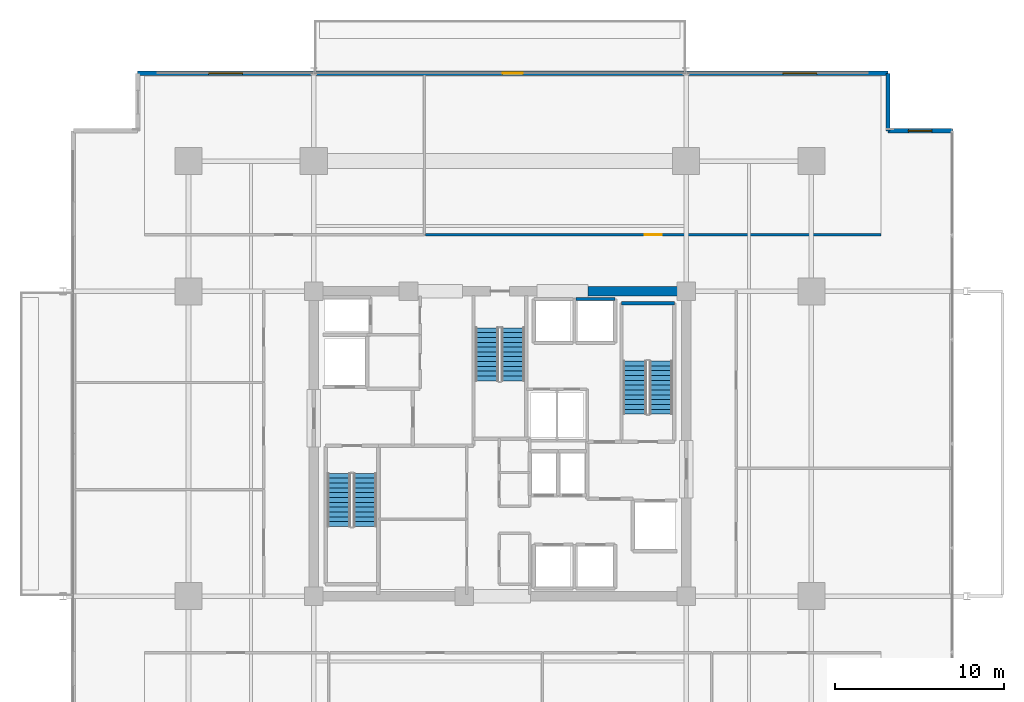
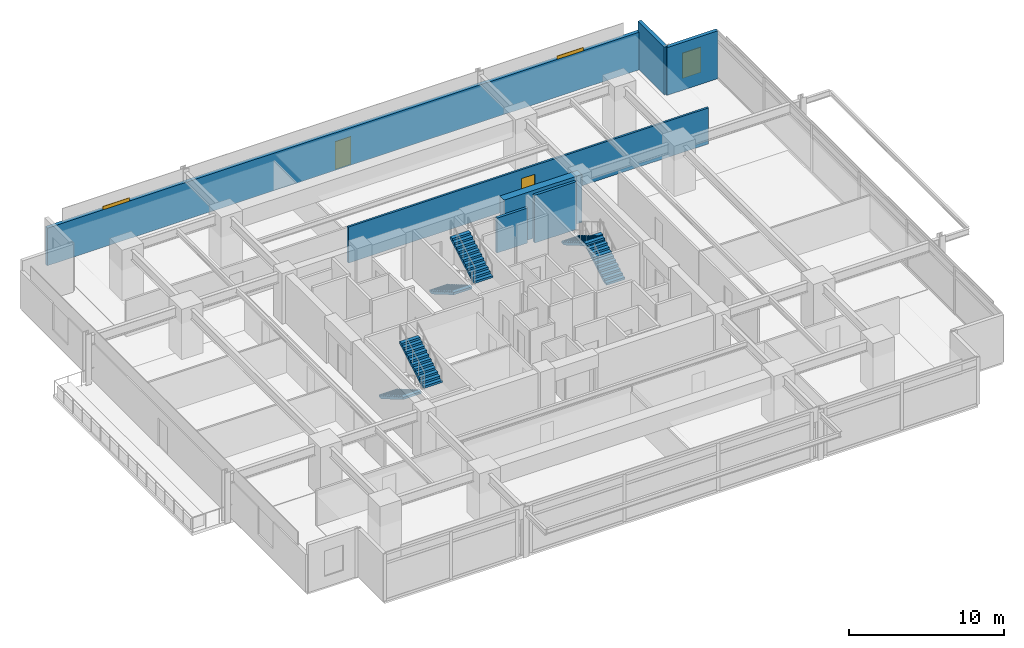
# One storey, part 19 of 23: 7 walls, 6 stair flights, 3 windows, 2 doors, 5 openings, 3 elements without a shape of their own.
"""IFC4 building model written with IfcOpenShell, lengths in metres."""

import ifcopenshell
import ifcopenshell.guid

model = None  # the IFC model being written
_history = None  # IfcOwnerHistory: only IFC2X3 demands one
_inside = {}  # id of a spatial element -> (the spatial element, [elements in it])
_under = {}  # id of a project, library or spatial element -> (it, [spatial elements below it])
_declared = {}  # id of a project -> (the project, [libraries it declares])
_typed = {}  # id of a type object -> (the type object, [elements of that type])
_made_of = {}  # id of a material, layer set ... -> (it, [elements and type objects made of it])


def new_model(schema):
    """Start an empty IFC model of exactly this schema.

    Asked for "IFC4X3", IfcOpenShell would pick the latest addendum, in which some entities
    have other attributes; the version numbers below select the first issue.
    IFC2X3 requires an IfcOwnerHistory on every rooted entity: one is made here for all.
    """
    global model, _history
    if schema == "IFC4X3":
        model = ifcopenshell.file(schema_version=(4, 3, 0, 0))
    else:
        model = ifcopenshell.file(schema=schema)
    _inside.clear()
    _under.clear()
    _declared.clear()
    _typed.clear()
    _made_of.clear()
    _history = None
    if model.schema == "IFC2X3":
        org = make("IfcOrganization", Name="unknown")
        user = make(
            "IfcPersonAndOrganization",
            ThePerson=make("IfcPerson", FamilyName="unknown"),
            TheOrganization=org,
        )
        app = make(
            "IfcApplication",
            ApplicationDeveloper=org,
            Version="unknown",
            ApplicationFullName="unknown",
            ApplicationIdentifier="unknown",
        )
        _history = make(
            "IfcOwnerHistory",
            OwningUser=user,
            OwningApplication=app,
            ChangeAction="ADDED",
            CreationDate=0,
        )
    return model


def make(cls, **values):
    """One entity of the class cls with the attributes given. An attribute that is None is left unset."""
    return model.create_entity(
        cls, **{name: value for name, value in values.items() if value is not None}
    )


def rooted(cls, **values):
    """An entity with a GlobalId (a new one), such as an element, a storey or a relation."""
    return make(cls, GlobalId=ifcopenshell.guid.new(), OwnerHistory=_history, **values)


def si_unit(unit_type, name, prefix=None):
    """IfcSIUnit, for example si_unit("LENGTHUNIT", "METRE", prefix="MILLI")."""
    return make("IfcSIUnit", UnitType=unit_type, Prefix=prefix, Name=name)


def assignment(units):
    """IfcUnitAssignment: the units of a project."""
    return None if units is None else make("IfcUnitAssignment", Units=units)


def point(xyz):
    """IfcCartesianPoint."""
    return None if xyz is None else make("IfcCartesianPoint", Coordinates=xyz)


def direction(xyz):
    """IfcDirection."""
    return None if xyz is None else make("IfcDirection", DirectionRatios=xyz)


def frame(location, z_axis=None, x_axis=None):
    """IfcAxis2Placement3D, a coordinate frame: its origin and axes. An axis left out is left unset."""
    return make(
        "IfcAxis2Placement3D",
        Location=point(location),
        Axis=direction(z_axis),
        RefDirection=direction(x_axis),
    )


def frame_2d(location, x_axis=None):
    """IfcAxis2Placement2D, a coordinate frame in the plane: its origin and x axis."""
    return make(
        "IfcAxis2Placement2D", Location=point(location), RefDirection=direction(x_axis)
    )


def origin():
    """The frame at (0, 0, 0) with its axes left unset."""
    return frame((0.0, 0.0, 0.0))


def place(relative_to, where):
    """IfcLocalPlacement: puts the frame where relative to a parent placement (None: the world)."""
    return make(
        "IfcLocalPlacement", PlacementRelTo=relative_to, RelativePlacement=where
    )


def context(
    kind, dimensions, precision=None, world=None, true_north=None, identifier=None
):
    """IfcGeometricRepresentationContext, for example the 3D "Model" context."""
    return make(
        "IfcGeometricRepresentationContext",
        ContextIdentifier=identifier,
        ContextType=kind,
        CoordinateSpaceDimension=dimensions,
        Precision=precision,
        WorldCoordinateSystem=world,
        TrueNorth=true_north,
    )


def subcontext(parent, identifier, kind, view, scale=None):
    """IfcGeometricRepresentationSubContext, for example "Body" below "Model"."""
    return make(
        "IfcGeometricRepresentationSubContext",
        ContextIdentifier=identifier,
        ContextType=kind,
        ParentContext=parent,
        TargetScale=scale,
        TargetView=view,
    )


def project(units=None, contexts=None):
    """IfcProject with its units and contexts."""
    return rooted(
        "IfcProject",
        Name="project",
        RepresentationContexts=contexts,
        UnitsInContext=assignment(units),
    )


def spatial(cls, under=None, at=None, **own):
    """A site, building, storey or space (cls), placed at a placement, below another one or the project."""
    s = rooted(cls, ObjectPlacement=at, **own)
    if under is not None:
        _under.setdefault(under.id(), (under, []))[1].append(s)
    return s


def polyline(points):
    """IfcPolyline through the points."""
    return make("IfcPolyline", Points=[point(p) for p in points])


def profile(cls, at=None, kind="AREA", **sizes):
    """A parametric profile (cls). Its sizes go by their IFC names, for example OverallWidth=200.0."""
    return make(cls, ProfileType=kind, Position=at, **sizes)


def rectangle(**sizes):
    """IfcRectangleProfileDef."""
    return profile("IfcRectangleProfileDef", **sizes)


def outline(outer, holes=None, kind="AREA"):
    """IfcArbitraryClosedProfileDef: a profile drawn as a closed curve; with holes, ...WithVoids."""
    if holes is None:
        return make("IfcArbitraryClosedProfileDef", ProfileType=kind, OuterCurve=outer)
    return make(
        "IfcArbitraryProfileDefWithVoids",
        ProfileType=kind,
        OuterCurve=outer,
        InnerCurves=holes,
    )


def extrude(swept, where, along, depth):
    """IfcExtrudedAreaSolid: the profile swept, set in the frame where, extruded along a direction by depth."""
    return make(
        "IfcExtrudedAreaSolid",
        SweptArea=swept,
        Position=where,
        ExtrudedDirection=direction(along),
        Depth=depth,
    )


def shape(context_of_items, identifier, shape_type, items):
    """IfcShapeRepresentation: the items that make up one representation, for example the "Body"."""
    return make(
        "IfcShapeRepresentation",
        ContextOfItems=context_of_items,
        RepresentationIdentifier=identifier,
        RepresentationType=shape_type,
        Items=items,
    )


def material(Name=None, Category=None):
    """IfcMaterial."""
    return make("IfcMaterial", Name=Name, Category=Category)


def layer(
    of_material, thickness, ventilated=None, Name=None, Category=None, Priority=None
):
    """IfcMaterialLayer: one layer of a wall or slab, of a material (None: an air gap)."""
    return make(
        "IfcMaterialLayer",
        Material=of_material,
        LayerThickness=thickness,
        IsVentilated=ventilated,
        Name=Name,
        Category=Category,
        Priority=Priority,
    )


def layer_set(layers, Name=None):
    """IfcMaterialLayerSet."""
    return make("IfcMaterialLayerSet", MaterialLayers=layers, LayerSetName=Name)


def made_of(thing, what):
    """Note that an element or type object is made of a material, layer set ...; save() writes the relation."""
    if what is not None:
        _made_of.setdefault(what.id(), (what, []))[1].append(thing)
    return thing


def type_object(cls, material=None, **own):
    """A type object (cls), such as IfcWallType, which elements share."""
    return made_of(rooted(cls, **own), material)


def element(
    cls,
    number,
    at=None,
    inside=None,
    cuts=None,
    type_object=None,
    material=None,
    context=None,
    identifier="Body",
    shape_type=None,
    held_by="IfcProductDefinitionShape",
    body=None,
    shapes=None,
    **own,
):
    """One element of the class cls, such as IfcWall. Its Tag is "e" and its number.

    at: its placement. inside: the storey or other place that contains it. cuts: it is an
    opening in that element (IfcRelVoidsElement). A single representation is given by context,
    identifier, shape_type and body (its items); several are given by shapes. held_by: the class
    of the entity that holds the representations. save() writes the other relations.
    """
    e = rooted(cls, Tag="e%d" % number, ObjectPlacement=at, **own)
    if body is not None:
        shapes = [shape(context, identifier, shape_type, body)]
    if shapes is not None:
        e.Representation = make(held_by, Representations=shapes)
    if inside is not None:
        _inside.setdefault(inside.id(), (inside, []))[1].append(e)
    if cuts is not None:
        rooted(
            "IfcRelVoidsElement", RelatingBuildingElement=cuts, RelatedOpeningElement=e
        )
    if type_object is not None:
        _typed.setdefault(type_object.id(), (type_object, []))[1].append(e)
    return made_of(e, material)


def fill(opening, filler):
    """IfcRelFillsElement: the door or window that sits in an opening."""
    return rooted(
        "IfcRelFillsElement",
        RelatingOpeningElement=opening,
        RelatedBuildingElement=filler,
    )


def aggregate(whole, parts):
    """IfcRelAggregates: a whole, such as a stair, and the parts it consists of."""
    return rooted("IfcRelAggregates", RelatingObject=whole, RelatedObjects=parts)


def save(model, path):
    """Write the relations noted so far, then the file.

    IfcRelAggregates (storeys below a building ...), IfcRelContainedInSpatialStructure (elements
    in a storey), IfcRelDefinesByType, IfcRelAssociatesMaterial and IfcRelDeclares: one each for
    every whole, place, type object, material and project.
    """
    for whole, parts in _under.values():
        aggregate(whole, parts)
    for where, things in _inside.values():
        rooted(
            "IfcRelContainedInSpatialStructure",
            RelatedElements=things,
            RelatingStructure=where,
        )
    for kind, things in _typed.values():
        rooted("IfcRelDefinesByType", RelatedObjects=things, RelatingType=kind)
    for what, things in _made_of.values():
        rooted("IfcRelAssociatesMaterial", RelatedObjects=things, RelatingMaterial=what)
    for by, libraries in _declared.values():
        rooted("IfcRelDeclares", RelatingContext=by, RelatedDefinitions=libraries)
    model.write(path)


model = new_model("IFC4")

# Units and contexts
model_context = context("Model", 3, precision=1e-05, world=origin(), true_north=direction((0.0, 1.0)))
body_context = subcontext(model_context, "Body", "Model", "MODEL_VIEW")
ifc_project = project(units=[si_unit("LENGTHUNIT", "METRE"), si_unit("AREAUNIT", "SQUARE_METRE"), si_unit("VOLUMEUNIT", "CUBIC_METRE"), si_unit("PLANEANGLEUNIT", "RADIAN"), si_unit("MASSUNIT", "GRAM", prefix="KILO")], contexts=[model_context])

# Site, building, storey
site_placement = place(None, origin())
site = spatial("IfcSite", under=ifc_project, at=site_placement, CompositionType="ELEMENT")
building_placement = place(site_placement, origin())
building = spatial("IfcBuilding", under=site, at=building_placement, Name="Kovane Verandah Tower", CompositionType="ELEMENT")
storey_placement = place(building_placement, frame((0.0, 0.0, 168.39990234375)))
storey = spatial("IfcBuildingStorey", under=building, at=storey_placement, Name="L39", CompositionType="ELEMENT", Elevation=168.39990234375)

# Wall, opening, door
ifc_material_1 = material(Name="Fire-Rated Gypsum Stud Partition", Category="gypsum")
ifc_layer_1 = layer(ifc_material_1, 0.14990234375)
ifc_layer_set_1 = layer_set([ifc_layer_1], Name="Fire-Rated Gypsum Stud Partition")
wall_type_1 = type_object("IfcWallType", Name="WL-COR-150", PredefinedType="PARTITIONING", material=ifc_layer_set_1)
wall_1_placement = place(storey_placement, frame((35.60546875, 39.85009765625, 0.0), z_axis=(0.0, 0.0, 1.0), x_axis=(1.0, 0.0, 0.0)))
wall_1 = element("IfcWall", 1, at=wall_1_placement, inside=storey, type_object=wall_type_1, Name="L39 Breakout Pantry N2 Corridor Partition", PredefinedType="PARTITIONING", context=body_context, shape_type="SweptSolid", body=[
    extrude(rectangle(XDim=26.914306640625, YDim=0.14990234375, at=frame_2d((13.45703125, 0.0))), origin(), (0.0, 0.0, 1.0), 2.85009765625),
])
opening_1_placement = place(wall_1_placement, frame((12.95703125, 0.0, 0.0)))
opening_1 = element("IfcOpeningElement", 2, at=opening_1_placement, cuts=wall_1, Name="Opening DR-L39-019", PredefinedType="OPENING", context=body_context, shape_type="SweptSolid", body=[
    extrude(rectangle(XDim=1.0, YDim=2.14990234375, at=frame_2d((0.5, 1.074951171875))), frame((0.0, 0.074951171875, 0.0), z_axis=(0.0, -1.0, 0.0), x_axis=(1.0, 0.0, 0.0)), (0.0, 0.0, 1.0), 0.14990234375),
])
ifc_material_2 = material(Name="FSC Spotted-Gum Timber Fire-Rated Office Door", Category="wood")
door_type_1 = type_object("IfcDoorType", Name="DR-OFF-1000", OperationType="SINGLE_SWING_LEFT", PredefinedType="DOOR", material=ifc_material_2)
door_1_placement = place(opening_1_placement, origin())
door_1 = element("IfcDoor", 3, at=door_1_placement, inside=storey, type_object=door_type_1, Name="L39 Breakout Pantry N2 Entrance Door", OperationType="SINGLE_SWING_LEFT", OverallHeight=2.14990234375, OverallWidth=1.0, PredefinedType="DOOR", context=body_context, shape_type="SweptSolid", body=[
    extrude(rectangle(XDim=1.0, YDim=2.14990234375, at=frame_2d((0.5, 1.074951171875))), frame((0.0, 0.02490234375, 0.0), z_axis=(0.0, -1.0, 0.0), x_axis=(1.0, 0.0, 0.0)), (0.0, 0.0, 1.0), 0.050048828125),
])
fill(opening_1, door_1)

# Walls
ifc_material_3 = material(Name="Concrete C60/75", Category="concrete")
ifc_layer_2 = layer(ifc_material_3, 0.550048828125)
ifc_layer_set_2 = layer_set([ifc_layer_2], Name="Concrete C60/75")
wall_type_2 = type_object("IfcWallType", Name="WL-CORE-550", PredefinedType="SHEAR", material=ifc_layer_set_2)
wall_2_placement = place(storey_placement, frame((45.199951171875, 36.5, 0.0), z_axis=(0.0, 0.0, 1.0), x_axis=(1.0, 0.0, 0.0)))
element("IfcWall", 4, at=wall_2_placement, inside=storey, type_object=wall_type_2, Name="L39 Core Shear Wall CN-3", PredefinedType="SHEAR", context=body_context, shape_type="SweptSolid", body=[
    extrude(rectangle(XDim=5.800048828125, YDim=0.550048828125, at=frame_2d((2.89990234375, 0.0))), origin(), (0.0, 0.0, 1.0), 3.775146484375),
])
ifc_material_4 = material(Name="Concrete C45/55 Lift Shaft Wall", Category="concrete")
ifc_layer_3 = layer(ifc_material_4, 0.199951171875)
ifc_layer_set_3 = layer_set([ifc_layer_3], Name="Concrete C45/55 Lift Shaft Wall")
wall_type_3 = type_object("IfcWallType", Name="WL-LIFT-200", PredefinedType="SOLIDWALL", material=ifc_layer_set_3)
wall_3_placement = place(storey_placement, frame((46.800048828125, 36.050048828125, 0.0), z_axis=(0.0, 0.0, 1.0), x_axis=(-1.0, 0.0, 0.0)))
element("IfcWall", 5, at=wall_3_placement, inside=storey, type_object=wall_type_3, Name="L39 Lift OL-01 N Shaft Wall", PredefinedType="SOLIDWALL", context=body_context, shape_type="SweptSolid", body=[
    extrude(rectangle(XDim=2.300048828125, YDim=0.199951171875, at=frame_2d((1.14990234375, 0.0))), origin(), (0.0, 0.0, 1.0), 2.755126953125),
])
ifc_material_5 = material(Name="Concrete C45/55", Category="concrete")
ifc_layer_4 = layer(ifc_material_5, 0.199951171875)
ifc_layer_set_4 = layer_set([ifc_layer_4], Name="Concrete C45/55")
wall_type_4 = type_object("IfcWallType", Name="WL-SHAFT-200", PredefinedType="SOLIDWALL", material=ifc_layer_set_4)
wall_4_placement = place(storey_placement, frame((47.179931640625, 35.800048828125, 0.0), z_axis=(0.0, 0.0, 1.0), x_axis=(1.0, 0.0, 0.0)))
element("IfcWall", 6, at=wall_4_placement, inside=storey, type_object=wall_type_4, Name="W-L39-ST02-N", PredefinedType="SOLIDWALL", context=body_context, shape_type="SweptSolid", body=[
    extrude(rectangle(XDim=3.1201171875, YDim=0.199951171875, at=frame_2d((1.56005859375, 0.0))), origin(), (0.0, 0.0, 1.0), 3.775146484375),
])

# Wall, openings, door, windows
ifc_material_6 = material(Name="Concrete C45/55 Insulated Spandrel Wall", Category="concrete")
ifc_layer_5 = layer(ifc_material_6, 0.260009765625)
ifc_layer_set_5 = layer_set([ifc_layer_5], Name="Concrete C45/55 Insulated Spandrel Wall")
wall_type_5 = type_object("IfcWallType", Name="WL-SPANDREL-260", PredefinedType="PARAPET", material=ifc_layer_set_5)
wall_5_placement = place(storey_placement, frame((62.919921875, 49.382080078125, 0.0), z_axis=(0.0, 0.0, 1.0), x_axis=(-1.0, 0.0, 0.0)))
wall_5 = element("IfcWall", 7, at=wall_5_placement, inside=storey, type_object=wall_type_5, Name="L39 N Verandah Access Facade Wall", PredefinedType="PARAPET", context=body_context, shape_type="SweptSolid", body=[
    extrude(rectangle(XDim=44.3232421875, YDim=0.260009765625, at=frame_2d((22.16162109375, 0.0))), origin(), (0.0, 0.0, 1.0), 2.97021484375),
])
opening_2_placement = place(wall_5_placement, frame((4.199951171875, 0.0, 0.85009765625)))
opening_2 = element("IfcOpeningElement", 8, at=opening_2_placement, cuts=wall_5, Name="Opening W-04", PredefinedType="OPENING", context=body_context, shape_type="SweptSolid", body=[
    extrude(rectangle(XDim=2.0, YDim=2.300048828125, at=frame_2d((1.0, 1.14990234375))), frame((0.0, 0.1298828125, 0.0), z_axis=(0.0, -1.0, 0.0), x_axis=(1.0, 0.0, 0.0)), (0.0, 0.0, 1.0), 0.260009765625),
])
opening_3_placement = place(wall_5_placement, frame((21.5615234375, 0.0, 0.0)))
opening_3 = element("IfcOpeningElement", 9, at=opening_3_placement, cuts=wall_5, Name="Opening DR-L39-001", PredefinedType="OPENING", context=body_context, shape_type="SweptSolid", body=[
    extrude(rectangle(XDim=1.199951171875, YDim=2.199951171875, at=frame_2d((0.60009765625, 1.10009765625))), frame((0.0, 0.1298828125, 0.0), z_axis=(0.0, -1.0, 0.0), x_axis=(1.0, 0.0, 0.0)), (0.0, 0.0, 1.0), 0.260009765625),
])
opening_4_placement = place(wall_5_placement, frame((38.123046875, 0.0, 0.85009765625)))
opening_4 = element("IfcOpeningElement", 10, at=opening_4_placement, cuts=wall_5, Name="Opening W-04", PredefinedType="OPENING", context=body_context, shape_type="SweptSolid", body=[
    extrude(rectangle(XDim=2.0, YDim=2.300048828125, at=frame_2d((1.0, 1.14990234375))), frame((0.0, 0.1298828125, 0.0), z_axis=(0.0, -1.0, 0.0), x_axis=(1.0, 0.0, 0.0)), (0.0, 0.0, 1.0), 0.260009765625),
])
ifc_material_7 = material(Name="Cyclone-Rated Glazed Balcony Leaf Door", Category="aluminium")
door_type_2 = type_object("IfcDoorType", Name="DR-BAL-1200x2200", OperationType="SINGLE_SWING_LEFT", PredefinedType="DOOR", material=ifc_material_7)
door_2_placement = place(opening_3_placement, origin())
door_2 = element("IfcDoor", 11, at=door_2_placement, inside=storey, type_object=door_type_2, Name="L39 N Planted Balcony Access Door", OperationType="SINGLE_SWING_LEFT", OverallHeight=2.199951171875, OverallWidth=1.199951171875, PredefinedType="DOOR", context=body_context, shape_type="SweptSolid", body=[
    extrude(rectangle(XDim=1.199951171875, YDim=2.199951171875, at=frame_2d((0.60009765625, 1.10009765625))), frame((0.0, 0.02490234375, 0.0), z_axis=(0.0, -1.0, 0.0), x_axis=(1.0, 0.0, 0.0)), (0.0, 0.0, 1.0), 0.050048828125),
])
fill(opening_3, door_2)
ifc_material_8 = material(Name="Clear Low-E Laminated Double Glazing in Anodised Frame", Category="glass")
window_type_1 = type_object("IfcWindowType", Name="WN-FIXED-2000x2300", PartitioningType="SINGLE_PANEL", PredefinedType="WINDOW", material=ifc_material_8)
window_1_placement = place(opening_2_placement, origin())
window_1 = element("IfcWindow", 12, at=window_1_placement, inside=storey, type_object=window_type_1, Name="L39 N Verandah View Window 1", OverallHeight=2.300048828125, OverallWidth=2.0, PartitioningType="SINGLE_PANEL", PredefinedType="WINDOW", context=body_context, shape_type="SweptSolid", body=[
    extrude(rectangle(XDim=2.0, YDim=2.300048828125, at=frame_2d((1.0, 1.14990234375))), frame((0.0, 0.030029296875, 0.0), z_axis=(0.0, -1.0, 0.0), x_axis=(1.0, 0.0, 0.0)), (0.0, 0.0, 1.0), 0.06005859375),
])
fill(opening_2, window_1)
window_2_placement = place(opening_4_placement, origin())
window_2 = element("IfcWindow", 13, at=window_2_placement, inside=storey, type_object=window_type_1, Name="L39 N Verandah View Window 2", OverallHeight=2.300048828125, OverallWidth=2.0, PartitioningType="SINGLE_PANEL", PredefinedType="WINDOW", context=body_context, shape_type="SweptSolid", body=[
    extrude(rectangle(XDim=2.0, YDim=2.300048828125, at=frame_2d((1.0, 1.14990234375))), frame((0.0, 0.030029296875, 0.0), z_axis=(0.0, -1.0, 0.0), x_axis=(1.0, 0.0, 0.0)), (0.0, 0.0, 1.0), 0.06005859375),
])
fill(opening_4, window_2)

# Wall, opening, window
wall_6_placement = place(storey_placement, frame((66.7197265625, 45.982177734375, 0.0), z_axis=(0.0, 0.0, 1.0), x_axis=(-1.0, 0.0, 0.0)))
wall_6 = element("IfcWall", 14, at=wall_6_placement, inside=storey, type_object=wall_type_5, Name="L39 NE Notch Cheek Wall 1", PredefinedType="PARAPET", context=body_context, shape_type="SweptSolid", body=[
    extrude(rectangle(XDim=3.7998046875, YDim=0.260009765625, at=frame_2d((1.89990234375, 0.0))), origin(), (0.0, 0.0, 1.0), 3.775146484375),
])
opening_5_placement = place(wall_6_placement, frame((1.199951171875, 0.0, 0.85009765625)))
opening_5 = element("IfcOpeningElement", 15, at=opening_5_placement, cuts=wall_6, Name="Opening W-01", PredefinedType="OPENING", context=body_context, shape_type="SweptSolid", body=[
    extrude(rectangle(XDim=1.39990234375, YDim=2.0, at=frame_2d((0.699951171875, 1.0))), frame((0.0, 0.1298828125, 0.0), z_axis=(0.0, -1.0, 0.0), x_axis=(1.0, 0.0, 0.0)), (0.0, 0.0, 1.0), 0.260009765625),
])
window_type_2 = type_object("IfcWindowType", Name="WN-OPER-1400x2000", PartitioningType="SINGLE_PANEL", PredefinedType="WINDOW", material=ifc_material_8)
window_3_placement = place(opening_5_placement, origin())
window_3 = element("IfcWindow", 16, at=window_3_placement, inside=storey, type_object=window_type_2, Name="L39 NE Re-Entrant Corner Operable Window", OverallHeight=2.0, OverallWidth=1.39990234375, PartitioningType="SINGLE_PANEL", PredefinedType="WINDOW", context=body_context, shape_type="SweptSolid", body=[
    extrude(rectangle(XDim=1.39990234375, YDim=2.0, at=frame_2d((0.699951171875, 1.0))), frame((0.0, 0.030029296875, 0.0), z_axis=(0.0, -1.0, 0.0), x_axis=(1.0, 0.0, 0.0)), (0.0, 0.0, 1.0), 0.06005859375),
])
fill(opening_5, window_3)

# Wall
wall_7_placement = place(storey_placement, frame((62.919921875, 45.982177734375, 0.0), z_axis=(0.0, 0.0, 1.0), x_axis=(0.0, 1.0, 0.0)))
element("IfcWall", 17, at=wall_7_placement, inside=storey, type_object=wall_type_5, Name="L39 NE Notch Cheek Wall 2", PredefinedType="PARAPET", context=body_context, shape_type="SweptSolid", body=[
    extrude(rectangle(XDim=3.39990234375, YDim=0.260009765625, at=frame_2d((1.699951171875, 0.0))), origin(), (0.0, 0.0, 1.0), 3.775146484375),
])

# Stair, stair flights
stair_type = type_object("IfcStairType", Name="ST-CORE-1380", PredefinedType="HALF_TURN_STAIR", material=ifc_material_5)
stair_1_placement = place(storey_placement, origin())
stair_1 = element("IfcStair", 18, at=stair_1_placement, inside=storey, type_object=stair_type, Name="L39 Exit Stair ST-01", PredefinedType="HALF_TURN_STAIR")
stair_flight_type = type_object("IfcStairFlightType", Name="STF-CORE-1380", PredefinedType="STRAIGHT", material=ifc_material_5)
stair_flight_1_placement = place(storey_placement, frame((30.489990234375, 25.75, 0.0), z_axis=(0.0, 0.0, 1.0), x_axis=(0.0, -1.0, 0.0)))
stair_flight_1 = element("IfcStairFlight", 19, at=stair_flight_1_placement, type_object=stair_flight_type, Name="ST-01 flight 1", NumberOfRisers=12, NumberOfTreads=11, PredefinedType="STRAIGHT", RiserHeight=0.166666667, TreadLength=0.285, context=body_context, shape_type="SweptSolid", body=[
    extrude(outline(polyline([(0.0, 0.0), (0.0, 0.166748046875), (0.284912109375, 0.166748046875), (0.284912109375, 0.333251953125), (0.570068359375, 0.333251953125), (0.570068359375, 0.5), (0.85498046875, 0.5), (0.85498046875, 0.666748046875), (1.139892578125, 0.666748046875), (1.139892578125, 0.833251953125), (1.425048828125, 0.833251953125), (1.425048828125, 1.0), (1.7099609375, 1.0), (1.7099609375, 1.166748046875), (1.9951171875, 1.166748046875), (1.9951171875, 1.333251953125), (2.280029296875, 1.333251953125), (2.280029296875, 1.5), (2.56494140625, 1.5), (2.56494140625, 1.666748046875), (2.85009765625, 1.666748046875), (2.85009765625, 1.833251953125), (3.135009765625, 1.833251953125), (3.135009765625, 2.0), (3.135009765625, 1.65966796875), (0.296875, 0.0), (0.0, 0.0)])), frame((0.0, 0.68994140625, 0.0), z_axis=(0.0, -1.0, 0.0), x_axis=(1.0, 0.0, 0.0)), (0.0, 0.0, 1.0), 1.3798828125),
])
stair_flight_2_placement = place(storey_placement, frame((32.030029296875, 22.614990234375, 2.0), z_axis=(0.0, 0.0, 1.0), x_axis=(0.0, 1.0, 0.0)))
stair_flight_2 = element("IfcStairFlight", 20, at=stair_flight_2_placement, type_object=stair_flight_type, Name="ST-01 flight 2", NumberOfRisers=12, NumberOfTreads=11, PredefinedType="STRAIGHT", RiserHeight=0.166666667, TreadLength=0.285, context=body_context, shape_type="SweptSolid", body=[
    extrude(outline(polyline([(0.0, 0.0), (0.0, 0.166748046875), (0.284912109375, 0.166748046875), (0.284912109375, 0.333251953125), (0.570068359375, 0.333251953125), (0.570068359375, 0.5), (0.85498046875, 0.5), (0.85498046875, 0.666748046875), (1.139892578125, 0.666748046875), (1.139892578125, 0.833251953125), (1.425048828125, 0.833251953125), (1.425048828125, 1.0), (1.7099609375, 1.0), (1.7099609375, 1.166748046875), (1.9951171875, 1.166748046875), (1.9951171875, 1.333251953125), (2.280029296875, 1.333251953125), (2.280029296875, 1.5), (2.56494140625, 1.5), (2.56494140625, 1.666748046875), (2.85009765625, 1.666748046875), (2.85009765625, 1.833251953125), (3.135009765625, 1.833251953125), (3.135009765625, 2.0), (3.135009765625, 1.65966796875), (0.296875, 0.0), (0.0, 0.0)])), frame((0.0, 0.68994140625, 0.0), z_axis=(0.0, -1.0, 0.0), x_axis=(1.0, 0.0, 0.0)), (0.0, 0.0, 1.0), 1.3798828125),
])
aggregate(stair_1, [stair_flight_1, stair_flight_2])

stair_2_placement = place(storey_placement, origin())
stair_2 = element("IfcStair", 21, at=stair_2_placement, inside=storey, type_object=stair_type, Name="L39 Exit Stair ST-02", PredefinedType="HALF_TURN_STAIR")
stair_flight_3_placement = place(storey_placement, frame((49.510009765625, 29.25, 0.0), z_axis=(0.0, 0.0, 1.0), x_axis=(0.0, 1.0, 0.0)))
stair_flight_3 = element("IfcStairFlight", 22, at=stair_flight_3_placement, type_object=stair_flight_type, Name="ST-02 flight 1", NumberOfRisers=12, NumberOfTreads=11, PredefinedType="STRAIGHT", RiserHeight=0.166666667, TreadLength=0.285, context=body_context, shape_type="SweptSolid", body=[
    extrude(outline(polyline([(0.0, 0.0), (0.0, 0.166748046875), (0.284912109375, 0.166748046875), (0.284912109375, 0.333251953125), (0.570068359375, 0.333251953125), (0.570068359375, 0.5), (0.85498046875, 0.5), (0.85498046875, 0.666748046875), (1.139892578125, 0.666748046875), (1.139892578125, 0.833251953125), (1.425048828125, 0.833251953125), (1.425048828125, 1.0), (1.7099609375, 1.0), (1.7099609375, 1.166748046875), (1.9951171875, 1.166748046875), (1.9951171875, 1.333251953125), (2.280029296875, 1.333251953125), (2.280029296875, 1.5), (2.56494140625, 1.5), (2.56494140625, 1.666748046875), (2.85009765625, 1.666748046875), (2.85009765625, 1.833251953125), (3.135009765625, 1.833251953125), (3.135009765625, 2.0), (3.135009765625, 1.65966796875), (0.296875, 0.0), (0.0, 0.0)])), frame((0.0, 0.68994140625, 0.0), z_axis=(0.0, -1.0, 0.0), x_axis=(1.0, 0.0, 0.0)), (0.0, 0.0, 1.0), 1.3798828125),
])
stair_flight_4_placement = place(storey_placement, frame((47.969970703125, 32.385009765625, 2.0), z_axis=(0.0, 0.0, 1.0), x_axis=(0.0, -1.0, 0.0)))
stair_flight_4 = element("IfcStairFlight", 23, at=stair_flight_4_placement, type_object=stair_flight_type, Name="ST-02 flight 2", NumberOfRisers=12, NumberOfTreads=11, PredefinedType="STRAIGHT", RiserHeight=0.166666667, TreadLength=0.285, context=body_context, shape_type="SweptSolid", body=[
    extrude(outline(polyline([(0.0, 0.0), (0.0, 0.166748046875), (0.284912109375, 0.166748046875), (0.284912109375, 0.333251953125), (0.570068359375, 0.333251953125), (0.570068359375, 0.5), (0.85498046875, 0.5), (0.85498046875, 0.666748046875), (1.139892578125, 0.666748046875), (1.139892578125, 0.833251953125), (1.425048828125, 0.833251953125), (1.425048828125, 1.0), (1.7099609375, 1.0), (1.7099609375, 1.166748046875), (1.9951171875, 1.166748046875), (1.9951171875, 1.333251953125), (2.280029296875, 1.333251953125), (2.280029296875, 1.5), (2.56494140625, 1.5), (2.56494140625, 1.666748046875), (2.85009765625, 1.666748046875), (2.85009765625, 1.833251953125), (3.135009765625, 1.833251953125), (3.135009765625, 2.0), (3.135009765625, 1.65966796875), (0.296875, 0.0), (0.0, 0.0)])), frame((0.0, 0.68994140625, 0.0), z_axis=(0.0, -1.0, 0.0), x_axis=(1.0, 0.0, 0.0)), (0.0, 0.0, 1.0), 1.3798828125),
])
aggregate(stair_2, [stair_flight_3, stair_flight_4])

stair_3_placement = place(storey_placement, origin())
stair_3 = element("IfcStair", 24, at=stair_3_placement, inside=storey, type_object=stair_type, Name="L39 Exit Stair ST-03", PredefinedType="HALF_TURN_STAIR")
stair_flight_5_placement = place(storey_placement, frame((39.22998046875, 34.35009765625, 0.0), z_axis=(0.0, 0.0, 1.0), x_axis=(0.0, -1.0, 0.0)))
stair_flight_5 = element("IfcStairFlight", 25, at=stair_flight_5_placement, type_object=stair_flight_type, Name="ST-03 flight 1", NumberOfRisers=12, NumberOfTreads=11, PredefinedType="STRAIGHT", RiserHeight=0.166666667, TreadLength=0.285, context=body_context, shape_type="SweptSolid", body=[
    extrude(outline(polyline([(0.0, 0.0), (0.0, 0.166748046875), (0.284912109375, 0.166748046875), (0.284912109375, 0.333251953125), (0.570068359375, 0.333251953125), (0.570068359375, 0.5), (0.85498046875, 0.5), (0.85498046875, 0.666748046875), (1.139892578125, 0.666748046875), (1.139892578125, 0.833251953125), (1.425048828125, 0.833251953125), (1.425048828125, 1.0), (1.7099609375, 1.0), (1.7099609375, 1.166748046875), (1.9951171875, 1.166748046875), (1.9951171875, 1.333251953125), (2.280029296875, 1.333251953125), (2.280029296875, 1.5), (2.56494140625, 1.5), (2.56494140625, 1.666748046875), (2.85009765625, 1.666748046875), (2.85009765625, 1.833251953125), (3.135009765625, 1.833251953125), (3.135009765625, 2.0), (3.135009765625, 1.65966796875), (0.296875, 0.0), (0.0, 0.0)])), frame((0.0, 0.68994140625, 0.0), z_axis=(0.0, -1.0, 0.0), x_axis=(1.0, 0.0, 0.0)), (0.0, 0.0, 1.0), 1.3798828125),
])
stair_flight_6_placement = place(storey_placement, frame((40.77001953125, 31.215087890625, 2.0), z_axis=(0.0, 0.0, 1.0), x_axis=(0.0, 1.0, 0.0)))
stair_flight_6 = element("IfcStairFlight", 26, at=stair_flight_6_placement, type_object=stair_flight_type, Name="ST-03 flight 2", NumberOfRisers=12, NumberOfTreads=11, PredefinedType="STRAIGHT", RiserHeight=0.166666667, TreadLength=0.285, context=body_context, shape_type="SweptSolid", body=[
    extrude(outline(polyline([(0.0, 0.0), (0.0, 0.166748046875), (0.284912109375, 0.166748046875), (0.284912109375, 0.333251953125), (0.570068359375, 0.333251953125), (0.570068359375, 0.5), (0.85498046875, 0.5), (0.85498046875, 0.666748046875), (1.139892578125, 0.666748046875), (1.139892578125, 0.833251953125), (1.425048828125, 0.833251953125), (1.425048828125, 1.0), (1.7099609375, 1.0), (1.7099609375, 1.166748046875), (1.9951171875, 1.166748046875), (1.9951171875, 1.333251953125), (2.280029296875, 1.333251953125), (2.280029296875, 1.5), (2.56494140625, 1.5), (2.56494140625, 1.666748046875), (2.85009765625, 1.666748046875), (2.85009765625, 1.833251953125), (3.135009765625, 1.833251953125), (3.135009765625, 2.0), (3.135009765625, 1.65966796875), (0.296875, 0.0), (0.0, 0.0)])), frame((0.0, 0.68994140625, 0.0), z_axis=(0.0, -1.0, 0.0), x_axis=(1.0, 0.0, 0.0)), (0.0, 0.0, 1.0), 1.3798828125),
])
aggregate(stair_3, [stair_flight_5, stair_flight_6])

save(model, "model.ifc")
